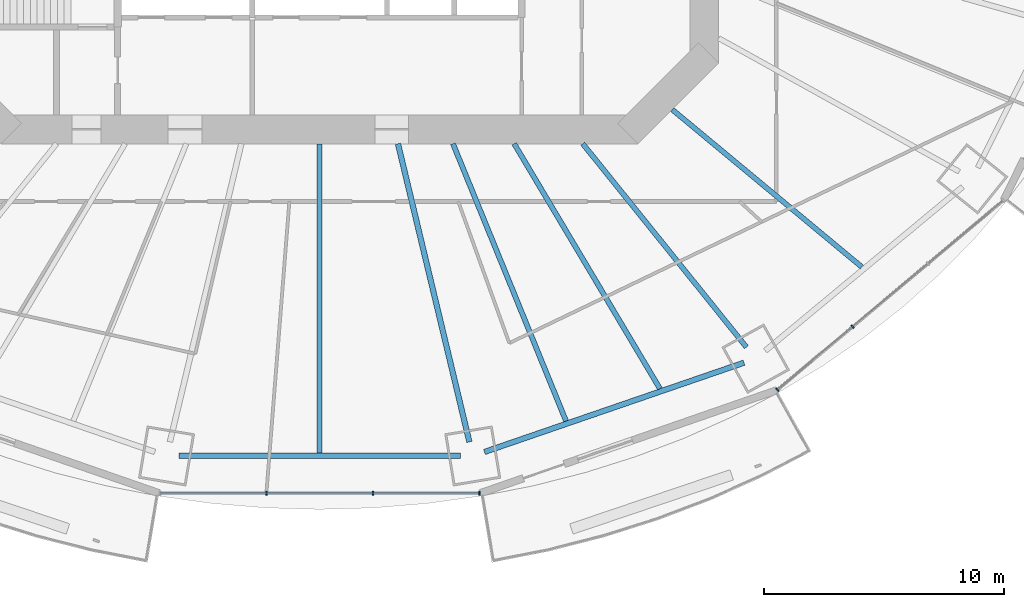
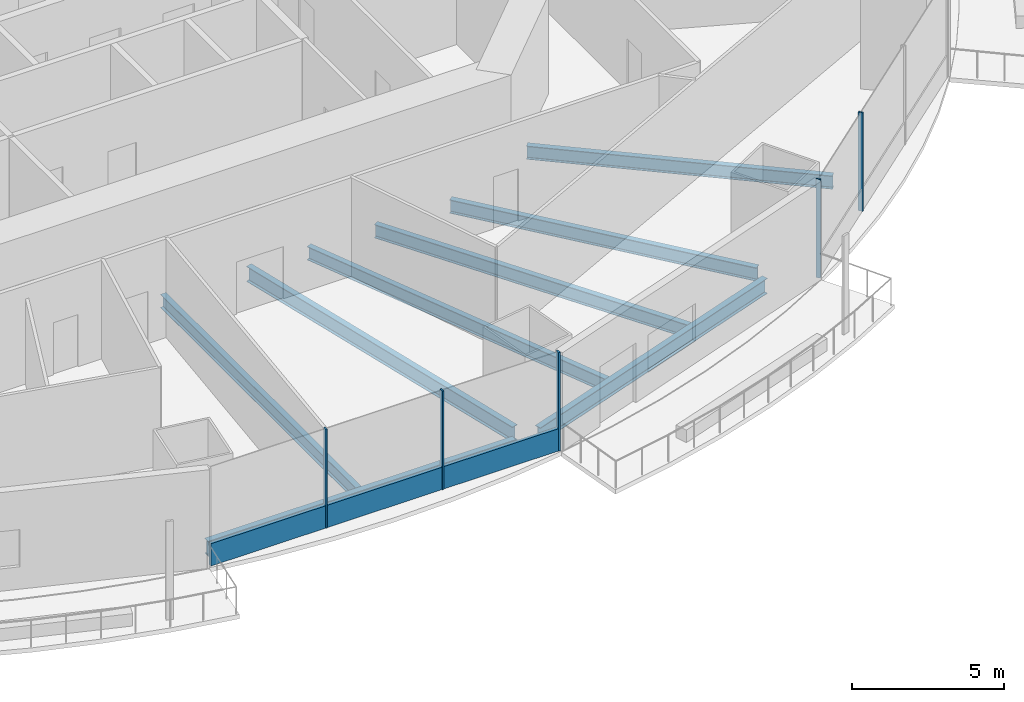
# One storey, part 4 of 22: 8 beams, 6 members, 2 elements without a shape of their own.
"""IFC4 building model written with IfcOpenShell, lengths in metres."""

import ifcopenshell
import ifcopenshell.guid

model = None  # the IFC model being written
_history = None  # IfcOwnerHistory: only IFC2X3 demands one
_inside = {}  # id of a spatial element -> (the spatial element, [elements in it])
_under = {}  # id of a project, library or spatial element -> (it, [spatial elements below it])
_declared = {}  # id of a project -> (the project, [libraries it declares])
_typed = {}  # id of a type object -> (the type object, [elements of that type])
_made_of = {}  # id of a material, layer set ... -> (it, [elements and type objects made of it])


def new_model(schema):
    """Start an empty IFC model of exactly this schema.

    Asked for "IFC4X3", IfcOpenShell would pick the latest addendum, in which some entities
    have other attributes; the version numbers below select the first issue.
    IFC2X3 requires an IfcOwnerHistory on every rooted entity: one is made here for all.
    """
    global model, _history
    if schema == "IFC4X3":
        model = ifcopenshell.file(schema_version=(4, 3, 0, 0))
    else:
        model = ifcopenshell.file(schema=schema)
    _inside.clear()
    _under.clear()
    _declared.clear()
    _typed.clear()
    _made_of.clear()
    _history = None
    if model.schema == "IFC2X3":
        org = make("IfcOrganization", Name="unknown")
        user = make(
            "IfcPersonAndOrganization",
            ThePerson=make("IfcPerson", FamilyName="unknown"),
            TheOrganization=org,
        )
        app = make(
            "IfcApplication",
            ApplicationDeveloper=org,
            Version="unknown",
            ApplicationFullName="unknown",
            ApplicationIdentifier="unknown",
        )
        _history = make(
            "IfcOwnerHistory",
            OwningUser=user,
            OwningApplication=app,
            ChangeAction="ADDED",
            CreationDate=0,
        )
    return model


def make(cls, **values):
    """One entity of the class cls with the attributes given. An attribute that is None is left unset."""
    return model.create_entity(
        cls, **{name: value for name, value in values.items() if value is not None}
    )


def rooted(cls, **values):
    """An entity with a GlobalId (a new one), such as an element, a storey or a relation."""
    return make(cls, GlobalId=ifcopenshell.guid.new(), OwnerHistory=_history, **values)


def si_unit(unit_type, name, prefix=None):
    """IfcSIUnit, for example si_unit("LENGTHUNIT", "METRE", prefix="MILLI")."""
    return make("IfcSIUnit", UnitType=unit_type, Prefix=prefix, Name=name)


def assignment(units):
    """IfcUnitAssignment: the units of a project."""
    return None if units is None else make("IfcUnitAssignment", Units=units)


def point(xyz):
    """IfcCartesianPoint."""
    return None if xyz is None else make("IfcCartesianPoint", Coordinates=xyz)


def direction(xyz):
    """IfcDirection."""
    return None if xyz is None else make("IfcDirection", DirectionRatios=xyz)


def frame(location, z_axis=None, x_axis=None):
    """IfcAxis2Placement3D, a coordinate frame: its origin and axes. An axis left out is left unset."""
    return make(
        "IfcAxis2Placement3D",
        Location=point(location),
        Axis=direction(z_axis),
        RefDirection=direction(x_axis),
    )


def frame_2d(location, x_axis=None):
    """IfcAxis2Placement2D, a coordinate frame in the plane: its origin and x axis."""
    return make(
        "IfcAxis2Placement2D", Location=point(location), RefDirection=direction(x_axis)
    )


def origin():
    """The frame at (0, 0, 0) with its axes left unset."""
    return frame((0.0, 0.0, 0.0))


def origin_2d():
    """The frame at (0, 0) in the plane with its x axis left unset."""
    return frame_2d((0.0, 0.0))


def place(relative_to, where):
    """IfcLocalPlacement: puts the frame where relative to a parent placement (None: the world)."""
    return make(
        "IfcLocalPlacement", PlacementRelTo=relative_to, RelativePlacement=where
    )


def context(
    kind, dimensions, precision=None, world=None, true_north=None, identifier=None
):
    """IfcGeometricRepresentationContext, for example the 3D "Model" context."""
    return make(
        "IfcGeometricRepresentationContext",
        ContextIdentifier=identifier,
        ContextType=kind,
        CoordinateSpaceDimension=dimensions,
        Precision=precision,
        WorldCoordinateSystem=world,
        TrueNorth=true_north,
    )


def subcontext(parent, identifier, kind, view, scale=None):
    """IfcGeometricRepresentationSubContext, for example "Body" below "Model"."""
    return make(
        "IfcGeometricRepresentationSubContext",
        ContextIdentifier=identifier,
        ContextType=kind,
        ParentContext=parent,
        TargetScale=scale,
        TargetView=view,
    )


def project(units=None, contexts=None):
    """IfcProject with its units and contexts."""
    return rooted(
        "IfcProject",
        Name="project",
        RepresentationContexts=contexts,
        UnitsInContext=assignment(units),
    )


def spatial(cls, under=None, at=None, **own):
    """A site, building, storey or space (cls), placed at a placement, below another one or the project."""
    s = rooted(cls, ObjectPlacement=at, **own)
    if under is not None:
        _under.setdefault(under.id(), (under, []))[1].append(s)
    return s


def profile(cls, at=None, kind="AREA", **sizes):
    """A parametric profile (cls). Its sizes go by their IFC names, for example OverallWidth=200.0."""
    return make(cls, ProfileType=kind, Position=at, **sizes)


def rectangle(**sizes):
    """IfcRectangleProfileDef."""
    return profile("IfcRectangleProfileDef", **sizes)


def i_section(**sizes):
    """IfcIShapeProfileDef."""
    return profile("IfcIShapeProfileDef", **sizes)


def extrude(swept, where, along, depth):
    """IfcExtrudedAreaSolid: the profile swept, set in the frame where, extruded along a direction by depth."""
    return make(
        "IfcExtrudedAreaSolid",
        SweptArea=swept,
        Position=where,
        ExtrudedDirection=direction(along),
        Depth=depth,
    )


def shape(context_of_items, identifier, shape_type, items):
    """IfcShapeRepresentation: the items that make up one representation, for example the "Body"."""
    return make(
        "IfcShapeRepresentation",
        ContextOfItems=context_of_items,
        RepresentationIdentifier=identifier,
        RepresentationType=shape_type,
        Items=items,
    )


def material(Name=None, Category=None):
    """IfcMaterial."""
    return make("IfcMaterial", Name=Name, Category=Category)


def material_profile(
    of_material, cross_section, Name=None, Category=None, Priority=None
):
    """IfcMaterialProfile: a cross section and its material."""
    return make(
        "IfcMaterialProfile",
        Name=Name,
        Material=of_material,
        Profile=cross_section,
        Priority=Priority,
        Category=Category,
    )


def profile_set(profiles, Name=None, composite=None):
    """IfcMaterialProfileSet."""
    return make(
        "IfcMaterialProfileSet",
        Name=Name,
        MaterialProfiles=profiles,
        CompositeProfile=composite,
    )


def made_of(thing, what):
    """Note that an element or type object is made of a material, layer set ...; save() writes the relation."""
    if what is not None:
        _made_of.setdefault(what.id(), (what, []))[1].append(thing)
    return thing


def type_object(cls, material=None, **own):
    """A type object (cls), such as IfcWallType, which elements share."""
    return made_of(rooted(cls, **own), material)


def element(
    cls,
    number,
    at=None,
    inside=None,
    cuts=None,
    type_object=None,
    material=None,
    context=None,
    identifier="Body",
    shape_type=None,
    held_by="IfcProductDefinitionShape",
    body=None,
    shapes=None,
    **own,
):
    """One element of the class cls, such as IfcWall. Its Tag is "e" and its number.

    at: its placement. inside: the storey or other place that contains it. cuts: it is an
    opening in that element (IfcRelVoidsElement). A single representation is given by context,
    identifier, shape_type and body (its items); several are given by shapes. held_by: the class
    of the entity that holds the representations. save() writes the other relations.
    """
    e = rooted(cls, Tag="e%d" % number, ObjectPlacement=at, **own)
    if body is not None:
        shapes = [shape(context, identifier, shape_type, body)]
    if shapes is not None:
        e.Representation = make(held_by, Representations=shapes)
    if inside is not None:
        _inside.setdefault(inside.id(), (inside, []))[1].append(e)
    if cuts is not None:
        rooted(
            "IfcRelVoidsElement", RelatingBuildingElement=cuts, RelatedOpeningElement=e
        )
    if type_object is not None:
        _typed.setdefault(type_object.id(), (type_object, []))[1].append(e)
    return made_of(e, material)


def aggregate(whole, parts):
    """IfcRelAggregates: a whole, such as a stair, and the parts it consists of."""
    return rooted("IfcRelAggregates", RelatingObject=whole, RelatedObjects=parts)


def save(model, path):
    """Write the relations noted so far, then the file.

    IfcRelAggregates (storeys below a building ...), IfcRelContainedInSpatialStructure (elements
    in a storey), IfcRelDefinesByType, IfcRelAssociatesMaterial and IfcRelDeclares: one each for
    every whole, place, type object, material and project.
    """
    for whole, parts in _under.values():
        aggregate(whole, parts)
    for where, things in _inside.values():
        rooted(
            "IfcRelContainedInSpatialStructure",
            RelatedElements=things,
            RelatingStructure=where,
        )
    for kind, things in _typed.values():
        rooted("IfcRelDefinesByType", RelatedObjects=things, RelatingType=kind)
    for what, things in _made_of.values():
        rooted("IfcRelAssociatesMaterial", RelatedObjects=things, RelatingMaterial=what)
    for by, libraries in _declared.values():
        rooted("IfcRelDeclares", RelatingContext=by, RelatedDefinitions=libraries)
    model.write(path)


model = new_model("IFC4")

# Units and contexts
model_context = context("Model", 3, precision=1e-05, world=origin(), true_north=direction((0.0, 1.0)))
body_context = subcontext(model_context, "Body", "Model", "MODEL_VIEW")
ifc_project = project(units=[si_unit("LENGTHUNIT", "METRE"), si_unit("AREAUNIT", "SQUARE_METRE"), si_unit("VOLUMEUNIT", "CUBIC_METRE"), si_unit("PLANEANGLEUNIT", "RADIAN"), si_unit("MASSUNIT", "GRAM", prefix="KILO")], contexts=[model_context])

# Site, building, storey
site_placement = place(None, origin())
site = spatial("IfcSite", under=ifc_project, at=site_placement, CompositionType="ELEMENT")
building_placement = place(site_placement, origin())
building = spatial("IfcBuilding", under=site, at=building_placement, Name="Marenthal Gate Tower", CompositionType="ELEMENT")
storey_placement = place(building_placement, frame((0.0, 0.0, 111.85009765625)))
storey = spatial("IfcBuildingStorey", under=building, at=storey_placement, Name="L23", CompositionType="ELEMENT", Elevation=111.85009765625)

# Curtain wall, members
ifc_material_1 = material(Name="Aluminium and glass", Category="aluminium")
curtain_wall_type = type_object("IfcCurtainWallType", Name="Curtain wall typical low", PredefinedType="NOTDEFINED", material=ifc_material_1)
curtain_wall_1_placement = place(storey_placement, origin())
curtain_wall_1 = element("IfcCurtainWall", 1, at=curtain_wall_1_placement, inside=storey, type_object=curtain_wall_type, Name="Curtain wall L23 bay 12", PredefinedType="NOTDEFINED")
ifc_material_2 = material(Name="Aluminium", Category="aluminium")
ifc_material_profile_1 = material_profile(ifc_material_2, rectangle(XDim=0.159912109375, YDim=0.06005859375, at=origin_2d()), Name="60x160 aluminium mullion")
ifc_profile_set_1 = profile_set([ifc_material_profile_1], Name="Aluminium")
member_type_1 = type_object("IfcMemberType", Name="Mullion 60x160 typical low", PredefinedType="MULLION", material=ifc_profile_set_1)
member_1_placement = place(storey_placement, frame((-2.2158203125, -28.13671875, 0.0), z_axis=(0.0, 0.0, 1.0), x_axis=(0.0, 1.0, 0.0)))
member_1 = element("IfcMember", 2, at=member_1_placement, type_object=member_type_1, Name="Mullion L23 bay 12.2", PredefinedType="MULLION", context=body_context, shape_type="SweptSolid", body=[
    extrude(rectangle(XDim=0.159912109375, YDim=0.06005859375, at=origin_2d()), origin(), (0.0, 0.0, 1.0), 3.969970703125),
])
member_2_placement = place(storey_placement, frame((2.2158203125, -28.13671875, 0.0), z_axis=(0.0, 0.0, 1.0), x_axis=(0.0, 1.0, 0.0)))
member_2 = element("IfcMember", 3, at=member_2_placement, type_object=member_type_1, Name="Mullion L23 bay 12.3", PredefinedType="MULLION", context=body_context, shape_type="SweptSolid", body=[
    extrude(rectangle(XDim=0.159912109375, YDim=0.06005859375, at=origin_2d()), origin(), (0.0, 0.0, 1.0), 3.969970703125),
])
member_3_placement = place(storey_placement, frame((6.647216796875, -28.13671875, 0.0), z_axis=(0.0, 0.0, 1.0), x_axis=(0.0, 1.0, 0.0)))
member_3 = element("IfcMember", 4, at=member_3_placement, type_object=member_type_1, Name="Mullion L23 bay 12.4", PredefinedType="MULLION", context=body_context, shape_type="SweptSolid", body=[
    extrude(rectangle(XDim=0.159912109375, YDim=0.06005859375, at=origin_2d()), origin(), (0.0, 0.0, 1.0), 3.969970703125),
])

curtain_wall_2_placement = place(storey_placement, origin())
curtain_wall_2 = element("IfcCurtainWall", 5, at=curtain_wall_2_placement, inside=storey, type_object=curtain_wall_type, Name="Curtain wall L23 bay 14", PredefinedType="NOTDEFINED")
member_4_placement = place(storey_placement, frame((19.037841796875, -23.833984375, 0.0), z_axis=(0.0, 0.0, 1.0), x_axis=(-0.642377082487, 0.766388728972, 0.0)))
member_4 = element("IfcMember", 6, at=member_4_placement, type_object=member_type_1, Name="Mullion L23 bay 14.1", PredefinedType="MULLION", context=body_context, shape_type="SweptSolid", body=[
    extrude(rectangle(XDim=0.159912109375, YDim=0.06005859375, at=origin_2d()), origin(), (0.0, 0.0, 1.0), 3.969970703125),
])
member_5_placement = place(storey_placement, frame((22.170166015625, -21.20849609375, 0.0), z_axis=(0.0, 0.0, 1.0), x_axis=(-0.642377082487, 0.766388728972, 0.0)))
member_5 = element("IfcMember", 7, at=member_5_placement, type_object=member_type_1, Name="Mullion L23 bay 14.2", PredefinedType="MULLION", context=body_context, shape_type="SweptSolid", body=[
    extrude(rectangle(XDim=0.159912109375, YDim=0.06005859375, at=origin_2d()), origin(), (0.0, 0.0, 1.0), 3.969970703125),
])
aggregate(curtain_wall_2, [member_4, member_5])

# Member
ifc_material_3 = material(Name="Aluminium", Category="aluminium")
ifc_material_profile_2 = material_profile(ifc_material_3, rectangle(XDim=0.1201171875, YDim=0.89990234375, at=origin_2d()), Name="120x900 aluminium transom")
ifc_profile_set_2 = profile_set([ifc_material_profile_2], Name="Aluminium")
member_type_2 = type_object("IfcMemberType", Name="Transom 120x900 typical low", PredefinedType="USERDEFINED", material=ifc_profile_set_2)
member_6_placement = place(storey_placement, frame((-6.6171875, -28.13671875, 0.449951171875), z_axis=(1.0, 0.0, 0.0), x_axis=(0.0, 1.0, 0.0)))
member_6 = element("IfcMember", 8, at=member_6_placement, type_object=member_type_2, Name="Transom L23 bay 12", ObjectType="TRANSOM", PredefinedType="USERDEFINED", context=body_context, shape_type="SweptSolid", body=[
    extrude(rectangle(XDim=0.1201171875, YDim=0.89990234375, at=origin_2d()), origin(), (0.0, 0.0, 1.0), 13.234375),
])

aggregate(curtain_wall_1, [member_1, member_2, member_3, member_6])

# Beams
ifc_material_4 = material(Name="Steel S355", Category="steel")
ifc_material_profile_3 = material_profile(ifc_material_4, i_section(OverallWidth=0.2099609375, OverallDepth=0.535888671875, WebThickness=0.010986328125, FlangeThickness=0.017333984375, FilletRadius=0.0126953125, at=origin_2d()), Name="W530X101")
ifc_profile_set_3 = profile_set([ifc_material_profile_3], Name="Steel S355")
beam_type_1 = type_object("IfcBeamType", Name="W530X101 beam", PredefinedType="BEAM", material=ifc_profile_set_3)
beam_1_placement = place(storey_placement, frame((22.551025390625, -18.7255859375, -0.447998046875), z_axis=(-0.769343150929, 0.638835750501, 0.0), x_axis=(-0.638835750501, -0.769343150929, 0.0)))
element("IfcBeam", 9, at=beam_1_placement, inside=storey, type_object=beam_type_1, Name="BM-L23-37", PredefinedType="BEAM", context=body_context, shape_type="SweptSolid", body=[
    extrude(i_section(OverallWidth=0.2099609375, OverallDepth=0.535888671875, WebThickness=0.010986328125, FlangeThickness=0.017333984375, FilletRadius=0.0126953125, at=origin_2d()), origin(), (0.0, 0.0, 1.0), 10.245849609375),
])
ifc_material_5 = material(Name="Steel S355", Category="steel")
ifc_material_profile_4 = material_profile(ifc_material_5, i_section(OverallWidth=0.2119140625, OverallDepth=0.5439453125, WebThickness=0.01318359375, FlangeThickness=0.021240234375, FilletRadius=0.0126953125, at=origin_2d()), Name="W530X123")
ifc_profile_set_4 = profile_set([ifc_material_profile_4], Name="Steel S355")
beam_type_2 = type_object("IfcBeamType", Name="W530X123 beam", PredefinedType="BEAM", material=ifc_profile_set_4)
beam_2_placement = place(storey_placement, frame((17.750732421875, -22.059326171875, -0.4521484375), z_axis=(-0.626924535124, 0.779079987716, 0.0), x_axis=(-0.779079987716, -0.626924535124, 0.0)))
element("IfcBeam", 10, at=beam_2_placement, inside=storey, type_object=beam_type_2, Name="BM-L23-14", PredefinedType="BEAM", context=body_context, shape_type="SweptSolid", body=[
    extrude(i_section(OverallWidth=0.2119140625, OverallDepth=0.5439453125, WebThickness=0.01318359375, FlangeThickness=0.021240234375, FilletRadius=0.0126953125, at=origin_2d()), origin(), (0.0, 0.0, 1.0), 10.85791015625),
])
beam_3_placement = place(storey_placement, frame((0.0, -26.47265625, -0.4521484375), z_axis=(0.0, 1.0, 0.0), x_axis=(-1.0, 0.0, 0.0)))
element("IfcBeam", 11, at=beam_3_placement, inside=storey, type_object=beam_type_2, Name="BM-L23-34", PredefinedType="BEAM", context=body_context, shape_type="SweptSolid", body=[
    extrude(i_section(OverallWidth=0.2119140625, OverallDepth=0.5439453125, WebThickness=0.01318359375, FlangeThickness=0.021240234375, FilletRadius=0.0126953125, at=origin_2d()), origin(), (0.0, 0.0, 1.0), 12.87255859375),
])
beam_4_placement = place(storey_placement, frame((10.248291015625, -25.131591796875, -0.4521484375), z_axis=(-0.377598266022, 0.925969518665, 0.0), x_axis=(-0.925969518665, -0.377598266022, 0.0)))
element("IfcBeam", 12, at=beam_4_placement, inside=storey, type_object=beam_type_2, Name="BM-L23-35", PredefinedType="BEAM", context=body_context, shape_type="SweptSolid", body=[
    extrude(i_section(OverallWidth=0.2119140625, OverallDepth=0.5439453125, WebThickness=0.01318359375, FlangeThickness=0.021240234375, FilletRadius=0.0126953125, at=origin_2d()), origin(), (0.0, 0.0, 1.0), 12.453369140625),
])
beam_5_placement = place(storey_placement, frame((14.154541015625, -23.7880859375, -0.4521484375), z_axis=(-0.511357862228, 0.859367870436, 0.0), x_axis=(-0.859367870436, -0.511357862228, 0.0)))
element("IfcBeam", 13, at=beam_5_placement, inside=storey, type_object=beam_type_2, Name="BM-L23-36", PredefinedType="BEAM", context=body_context, shape_type="SweptSolid", body=[
    extrude(i_section(OverallWidth=0.2119140625, OverallDepth=0.5439453125, WebThickness=0.01318359375, FlangeThickness=0.021240234375, FilletRadius=0.0126953125, at=origin_2d()), origin(), (0.0, 0.0, 1.0), 11.855224609375),
])
ifc_material_6 = material(Name="Steel S355", Category="steel")
ifc_material_profile_5 = material_profile(ifc_material_6, i_section(OverallWidth=0.22900390625, OverallDepth=0.612060546875, WebThickness=0.011962890625, FlangeThickness=0.01953125, FilletRadius=0.0126953125, at=origin_2d()), Name="W610X125")
ifc_profile_set_5 = profile_set([ifc_material_profile_5], Name="Steel S355")
beam_type_3 = type_object("IfcBeamType", Name="W610X125 beam", PredefinedType="BEAM", material=ifc_profile_set_5)
beam_6_placement = place(storey_placement, frame((6.228515625, -26.000732421875, -0.486083984375), z_axis=(-0.232968867139, 0.972484193673, 0.0), x_axis=(-0.972484193673, -0.232968867139, 0.0)))
element("IfcBeam", 14, at=beam_6_placement, inside=storey, type_object=beam_type_3, Name="BM-L23-13", PredefinedType="BEAM", context=body_context, shape_type="SweptSolid", body=[
    extrude(i_section(OverallWidth=0.22900390625, OverallDepth=0.612060546875, WebThickness=0.011962890625, FlangeThickness=0.01953125, FilletRadius=0.0126953125, at=origin_2d()), origin(), (0.0, 0.0, 1.0), 12.75146484375),
])
beam_7_placement = place(storey_placement, frame((-5.85546875, -26.587158203125, -0.486083984375), z_axis=(1.0, 0.0, 0.0), x_axis=(0.0, 1.0, 0.0)))
element("IfcBeam", 15, at=beam_7_placement, inside=storey, type_object=beam_type_3, Name="BM-L23-52", PredefinedType="BEAM", context=body_context, shape_type="SweptSolid", body=[
    extrude(i_section(OverallWidth=0.22900390625, OverallDepth=0.612060546875, WebThickness=0.011962890625, FlangeThickness=0.01953125, FilletRadius=0.0126953125, at=origin_2d()), origin(), (0.0, 0.0, 1.0), 11.7109375),
])
beam_8_placement = place(storey_placement, frame((6.855224609375, -26.419921875, -0.486083984375), z_axis=(0.945631108542, 0.325241151391, 0.0), x_axis=(-0.325241151391, 0.945631108542, 0.0)))
element("IfcBeam", 16, at=beam_8_placement, inside=storey, type_object=beam_type_3, Name="BM-L23-53", PredefinedType="BEAM", context=body_context, shape_type="SweptSolid", body=[
    extrude(i_section(OverallWidth=0.22900390625, OverallDepth=0.612060546875, WebThickness=0.011962890625, FlangeThickness=0.01953125, FilletRadius=0.0126953125, at=origin_2d()), origin(), (0.0, 0.0, 1.0), 11.4150390625),
])

save(model, "model.ifc")
